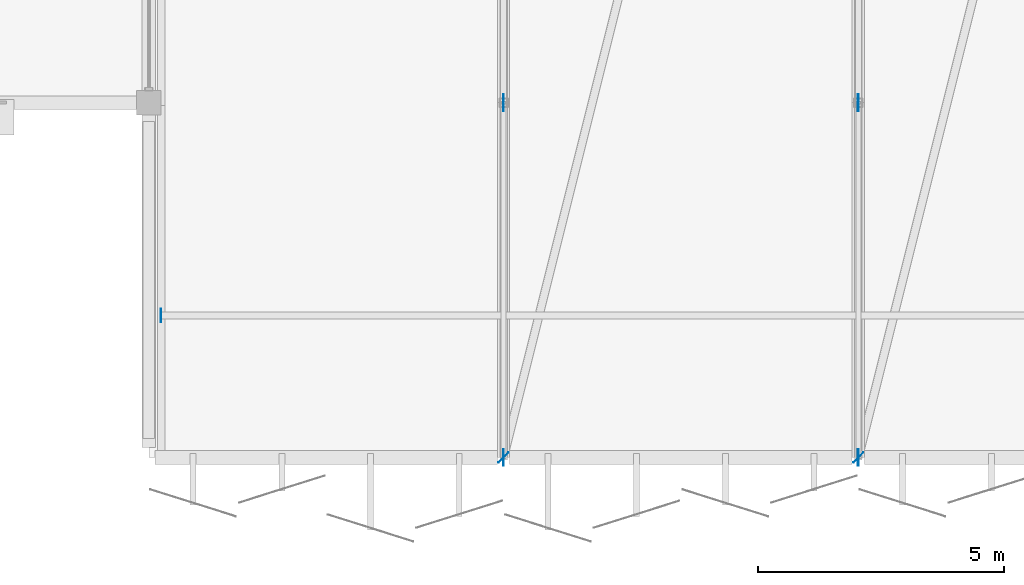
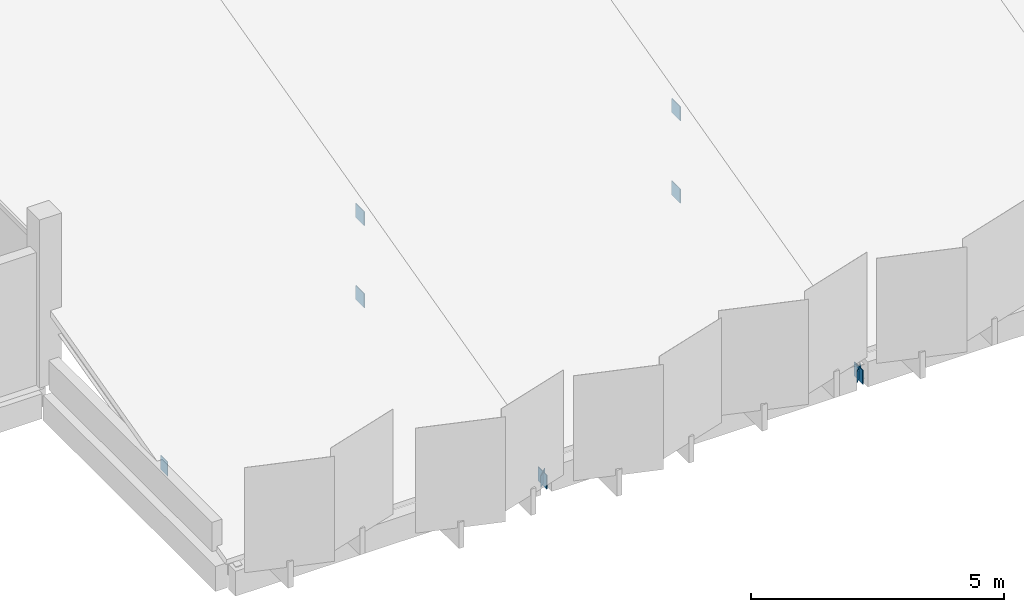
# One storey, part 70 of 108: 9 plates.
"""IFC4 building model written with IfcOpenShell, lengths in metres."""

from ifc_helpers import new_model, si_unit, direction, frame, origin, origin_2d, place, context, subcontext, project, spatial, rectangle, extrude, material, layer, layer_set, type_object, element, save


model = new_model("IFC4")

# Units and contexts
model_context = context("Model", 3, precision=1e-05, world=origin(), true_north=direction((0.0, 1.0)))
body_context = subcontext(model_context, "Body", "Model", "MODEL_VIEW")
ifc_project = project(units=[si_unit("LENGTHUNIT", "METRE"), si_unit("AREAUNIT", "SQUARE_METRE"), si_unit("VOLUMEUNIT", "CUBIC_METRE"), si_unit("PLANEANGLEUNIT", "RADIAN"), si_unit("MASSUNIT", "GRAM", prefix="KILO")], contexts=[model_context])

# Site, building, storey
site_placement = place(None, origin())
site = spatial("IfcSite", under=ifc_project, at=site_placement, CompositionType="ELEMENT")
building_placement = place(site_placement, origin())
building = spatial("IfcBuilding", under=site, at=building_placement, Name="Kangsadwip Square Police Headquarters", CompositionType="ELEMENT")
storey_placement = place(building_placement, frame((0.0, 0.0, 9.449951171875)))
storey = spatial("IfcBuildingStorey", under=building, at=storey_placement, Name="L02", CompositionType="ELEMENT", Elevation=9.449951171875)

# Plates
ifc_material_1 = material(Name="Structural steel IS 2062 E350 (Grade 350, 350 MPa)", Category="steel")
ifc_layer_1 = layer(ifc_material_1, 0.011962890625)
ifc_layer_set_1 = layer_set([ifc_layer_1], Name="Structural steel IS 2062 E350 (Grade 350, 350 MPa)")
plate_type_1 = type_object("IfcPlateType", Name="TrussEndCapPlate12", PredefinedType="USERDEFINED", material=ifc_layer_set_1)
plate_placement = place(storey_placement, frame((43.444091796875, 89.280029296875, 0.259765625), z_axis=(0.0, 0.0, 1.0), x_axis=(0.0, 1.0, 0.0)))
element("IfcPlate", 1, at=plate_placement, inside=storey, type_object=plate_type_1, Name="Truss Node Gusset Plate GP-L02-0043", ObjectType="GUSSET_PLATE", PredefinedType="USERDEFINED", context=body_context, shape_type="SweptSolid", body=[
    extrude(rectangle(XDim=0.280029296875, YDim=0.011962890625, at=origin_2d()), origin(), (0.0, 0.0, 1.0), 0.340087890625),
])
for number, where, z_axis, x_axis, name in (
    (2, (50.39990234375, 86.39990234375, -0.68994140625), (0.0, 0.0, 1.0), (0.707106781187, 0.707106781187, 0.0), "Truss Node Gusset Plate GP-L02-0046"),
    (3, (57.60009765625, 86.39990234375, -0.68994140625), (0.0, 0.0, 1.0), (0.707106781187, 0.707106781187, 0.0), "Truss Node Gusset Plate GP-L02-0048"),
):
    element("IfcPlate", number, at=place(storey_placement, frame(where, z_axis=z_axis, x_axis=x_axis)), inside=storey, type_object=plate_type_1, Name=name, ObjectType="GUSSET_PLATE", PredefinedType="USERDEFINED", context=body_context, shape_type="SweptSolid", body=[
        extrude(rectangle(XDim=0.280029296875, YDim=0.011962890625, at=origin_2d()), origin(), (0.0, 0.0, 1.0), 0.280029296875),
    ])
ifc_material_2 = material(Name="Structural steel IS 2062 E350 (Grade 350, 350 MPa)", Category="steel")
ifc_layer_2 = layer(ifc_material_2, 0.01611328125)
ifc_layer_set_2 = layer_set([ifc_layer_2], Name="Structural steel IS 2062 E350 (Grade 350, 350 MPa)")
plate_type_2 = type_object("IfcPlateType", Name="TrussGussetPlate16", PredefinedType="USERDEFINED", material=ifc_layer_set_2)
for number, where, z_axis, x_axis, name in (
    (4, (50.39990234375, 93.60009765625, -0.72021484375), (0.0, 0.0, 1.0), (0.0, 1.0, 0.0), "Truss Node Gusset Plate GP-L02-0001"),
    (5, (50.39990234375, 93.60009765625, 1.259765625), (0.0, 0.0, 1.0), (0.0, 1.0, 0.0), "Truss Node Gusset Plate GP-L02-0002"),
    (6, (50.39990234375, 86.39990234375, -0.72021484375), (0.0, 0.0, 1.0), (0.0, 1.0, 0.0), "Truss Node Gusset Plate GP-L02-0007"),
    (7, (57.60009765625, 93.60009765625, -0.72021484375), (0.0, 0.0, 1.0), (0.0, 1.0, 0.0), "Truss Node Gusset Plate GP-L02-0008"),
    (8, (57.60009765625, 93.60009765625, 1.259765625), (0.0, 0.0, 1.0), (0.0, 1.0, 0.0), "Truss Node Gusset Plate GP-L02-0009"),
    (9, (57.60009765625, 86.39990234375, -0.72021484375), (0.0, 0.0, 1.0), (0.0, 1.0, 0.0), "Truss Node Gusset Plate GP-L02-0014"),
):
    element("IfcPlate", number, at=place(storey_placement, frame(where, z_axis=z_axis, x_axis=x_axis)), inside=storey, type_object=plate_type_2, Name=name, ObjectType="GUSSET_PLATE", PredefinedType="USERDEFINED", context=body_context, shape_type="SweptSolid", body=[
        extrude(rectangle(XDim=0.340087890625, YDim=0.01611328125, at=origin_2d()), origin(), (0.0, 0.0, 1.0), 0.340087890625),
    ])

save(model, "model.ifc")
